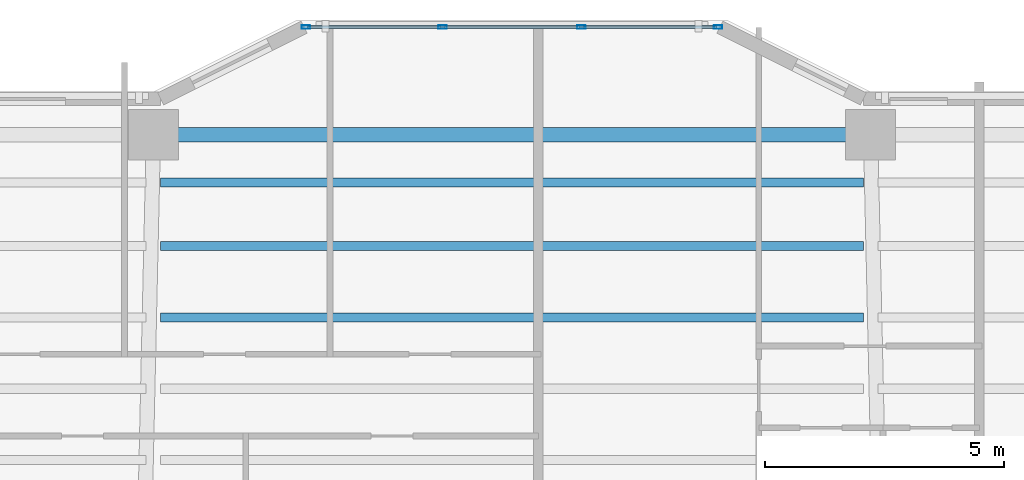
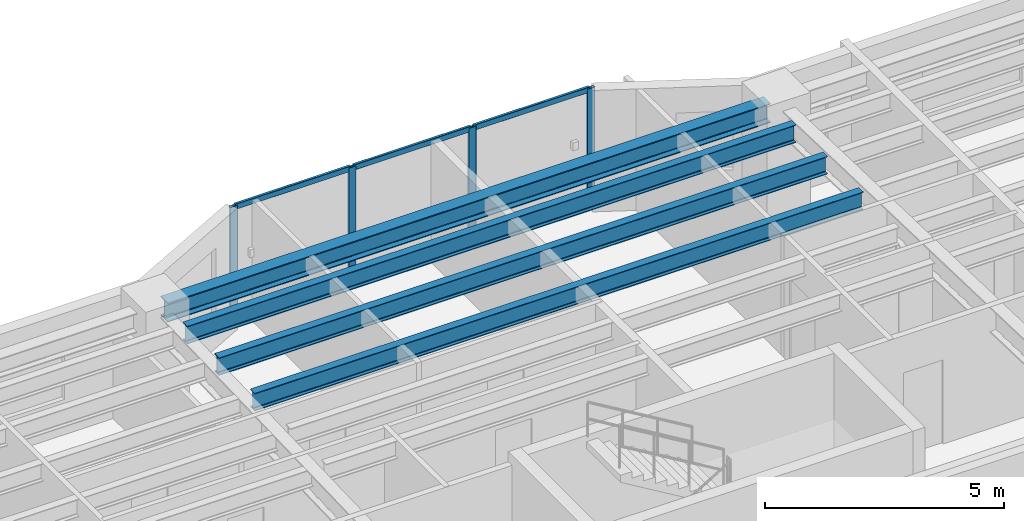
# One storey, part 4 of 18: 10 members, 4 beams, 1 element without a shape of its own.
"""IFC4 building model written with IfcOpenShell, lengths in metres."""

from ifc_helpers import new_model, si_unit, direction, frame, origin, origin_2d, place, context, subcontext, project, spatial, hollow_rectangle, i_section, extrude, material, layer, layer_set, material_profile, profile_set, type_object, element, aggregate, save


model = new_model("IFC4")

# Units and contexts
model_context = context("Model", 3, precision=1e-05, world=origin(), true_north=direction((0.0, 1.0)))
body_context = subcontext(model_context, "Body", "Model", "MODEL_VIEW")
ifc_project = project(units=[si_unit("LENGTHUNIT", "METRE"), si_unit("AREAUNIT", "SQUARE_METRE"), si_unit("VOLUMEUNIT", "CUBIC_METRE"), si_unit("PLANEANGLEUNIT", "RADIAN"), si_unit("MASSUNIT", "GRAM", prefix="KILO")], contexts=[model_context])

# Site, building, storey
site_placement = place(None, origin())
site = spatial("IfcSite", under=ifc_project, at=site_placement, CompositionType="ELEMENT")
building_placement = place(site_placement, origin())
building = spatial("IfcBuilding", under=site, at=building_placement, Name="Tarnavaz Court Tower", CompositionType="ELEMENT")
storey_placement = place(building_placement, frame((0.0, 0.0, 91.699951171875)))
storey = spatial("IfcBuildingStorey", under=building, at=storey_placement, Name="L24", CompositionType="ELEMENT", Elevation=91.699951171875)

# Beams
ifc_material_1 = material(Name="Steel S355", Category="steel")
ifc_material_profile_1 = material_profile(ifc_material_1, i_section(OverallWidth=0.18994140625, OverallDepth=0.449951171875, WebThickness=0.009521484375, FlangeThickness=0.0146484375, FilletRadius=0.02099609375, at=origin_2d()), Name="IPE 450")
ifc_profile_set_1 = profile_set([ifc_material_profile_1], Name="Steel S355")
beam_type_1 = type_object("IfcBeamType", Name="BM-J-IPE450", PredefinedType="JOIST", material=ifc_profile_set_1)
for number, where, z_axis, x_axis, name in (
    (1, (-7.35009765625, 17.48193359375, 2.875), (1.0, 0.0, 0.0), (0.0, 1.0, 0.0), "L24 Beam JN3-2"),
    (2, (-7.35009765625, 18.97607421875, 2.875), (1.0, 0.0, 0.0), (0.0, 1.0, 0.0), "L24 Beam JN4-2"),
    (3, (-7.35009765625, 20.303955078125, 2.875), (1.0, 0.0, 0.0), (0.0, 1.0, 0.0), "L24 Beam JN5-2"),
):
    element("IfcBeam", number, at=place(storey_placement, frame(where, z_axis=z_axis, x_axis=x_axis)), inside=storey, type_object=beam_type_1, Name=name, PredefinedType="JOIST", context=body_context, shape_type="SweptSolid", body=[
        extrude(i_section(OverallWidth=0.18994140625, OverallDepth=0.449951171875, WebThickness=0.009521484375, FlangeThickness=0.0146484375, FilletRadius=0.02099609375, at=origin_2d()), origin(), (0.0, 0.0, 1.0), 14.7001953125),
    ])
ifc_material_profile_2 = material_profile(ifc_material_1, i_section(OverallWidth=0.300048828125, OverallDepth=0.489990234375, WebThickness=0.011962890625, FlangeThickness=0.02294921875, FilletRadius=0.027099609375, at=origin_2d()), Name="HEA 500")
ifc_profile_set_2 = profile_set([ifc_material_profile_2], Name="Steel S355")
beam_type_2 = type_object("IfcBeamType", Name="BM-SP-HEA500", PredefinedType="SPANDREL", material=ifc_profile_set_2)
beam_placement = place(storey_placement, frame((-7.280029296875, 21.300048828125, 2.85498046875), z_axis=(1.0, 0.0, 0.0), x_axis=(0.0, 1.0, 0.0)))
element("IfcBeam", 4, at=beam_placement, inside=storey, type_object=beam_type_2, Name="L24 Beam PR-PN-2-PN-3", PredefinedType="SPANDREL", context=body_context, shape_type="SweptSolid", body=[
    extrude(i_section(OverallWidth=0.300048828125, OverallDepth=0.489990234375, WebThickness=0.011962890625, FlangeThickness=0.02294921875, FilletRadius=0.027099609375, at=origin_2d()), origin(), (0.0, 0.0, 1.0), 14.56005859375),
])

# Curtain wall, members
ifc_material_2 = material(Name="Anodised Aluminium 6063-T6 and Solar Low-E Glazing", Category="aluminium")
ifc_layer = layer(ifc_material_2, 0.179931640625)
ifc_layer_set = layer_set([ifc_layer], Name="Anodised Aluminium 6063-T6 and Solar Low-E Glazing")
curtain_wall_type = type_object("IfcCurtainWallType", Name="CW-SYS-02", PredefinedType="NOTDEFINED", material=ifc_layer_set)
curtain_wall_placement = place(storey_placement, origin())
curtain_wall = element("IfcCurtainWall", 5, at=curtain_wall_placement, inside=storey, type_object=curtain_wall_type, Name="L24 Iwan Prow Curtain Wall 7", PredefinedType="NOTDEFINED")
ifc_material_3 = material(Name="Anodised Aluminium 6063-T6", Category="aluminium")
ifc_material_profile_3 = material_profile(ifc_material_3, hollow_rectangle(XDim=0.074951171875, YDim=0.179931640625, WallThickness=0.0048828125, InnerFilletRadius=0.0048828125, OuterFilletRadius=0.010009765625, at=origin_2d()), Name="ALU RHS 180X75X5")
ifc_profile_set_3 = profile_set([ifc_material_profile_3], Name="Anodised Aluminium 6063-T6")
member_type_1 = type_object("IfcMemberType", Name="CW-MUL-180", PredefinedType="MULLION", material=ifc_profile_set_3)
member_1_placement = place(storey_placement, frame((-4.3125, 23.550048828125, 0.0), z_axis=(0.0, 0.0, 1.0), x_axis=(0.0, 1.0, 0.0)))
member_1 = element("IfcMember", 6, at=member_1_placement, type_object=member_type_1, Name="CW mullion 1", PredefinedType="MULLION", context=body_context, shape_type="SweptSolid", body=[
    extrude(hollow_rectangle(XDim=0.074951171875, YDim=0.179931640625, WallThickness=0.0048828125, InnerFilletRadius=0.0048828125, OuterFilletRadius=0.010009765625, at=origin_2d()), origin(), (0.0, 0.0, 1.0), 3.10009765625),
])
member_2_placement = place(storey_placement, frame((-1.449951171875, 23.550048828125, 0.0), z_axis=(0.0, 0.0, 1.0), x_axis=(0.0, 1.0, 0.0)))
member_2 = element("IfcMember", 7, at=member_2_placement, type_object=member_type_1, Name="CW mullion 2", PredefinedType="MULLION", context=body_context, shape_type="SweptSolid", body=[
    extrude(hollow_rectangle(XDim=0.074951171875, YDim=0.179931640625, WallThickness=0.0048828125, InnerFilletRadius=0.0048828125, OuterFilletRadius=0.010009765625, at=origin_2d()), origin(), (0.0, 0.0, 1.0), 3.10009765625),
])
member_3_placement = place(storey_placement, frame((1.449951171875, 23.550048828125, 0.0), z_axis=(0.0, 0.0, 1.0), x_axis=(0.0, 1.0, 0.0)))
member_3 = element("IfcMember", 8, at=member_3_placement, type_object=member_type_1, Name="CW mullion 3", PredefinedType="MULLION", context=body_context, shape_type="SweptSolid", body=[
    extrude(hollow_rectangle(XDim=0.074951171875, YDim=0.179931640625, WallThickness=0.0048828125, InnerFilletRadius=0.0048828125, OuterFilletRadius=0.010009765625, at=origin_2d()), origin(), (0.0, 0.0, 1.0), 3.10009765625),
])
member_4_placement = place(storey_placement, frame((4.3125, 23.550048828125, 0.0), z_axis=(0.0, 0.0, 1.0), x_axis=(0.0, 1.0, 0.0)))
member_4 = element("IfcMember", 9, at=member_4_placement, type_object=member_type_1, Name="CW mullion 4", PredefinedType="MULLION", context=body_context, shape_type="SweptSolid", body=[
    extrude(hollow_rectangle(XDim=0.074951171875, YDim=0.179931640625, WallThickness=0.0048828125, InnerFilletRadius=0.0048828125, OuterFilletRadius=0.010009765625, at=origin_2d()), origin(), (0.0, 0.0, 1.0), 3.10009765625),
])
ifc_material_profile_4 = material_profile(ifc_material_3, hollow_rectangle(XDim=0.06494140625, YDim=0.139892578125, WallThickness=0.00390625, InnerFilletRadius=0.00390625, OuterFilletRadius=0.008056640625, at=origin_2d()), Name="ALU RHS 140X65X4")
ifc_profile_set_4 = profile_set([ifc_material_profile_4], Name="Anodised Aluminium 6063-T6")
member_type_2 = type_object("IfcMemberType", Name="CW-TRN-140", PredefinedType="USERDEFINED", material=ifc_profile_set_4)
member_5_placement = place(storey_placement, frame((-4.27490234375, 23.550048828125, 0.032470703125), z_axis=(1.0, 0.0, 0.0), x_axis=(0.0, 1.0, 0.0)))
member_5 = element("IfcMember", 10, at=member_5_placement, type_object=member_type_2, Name="CW transom 1.1", ObjectType="TRANSOM", PredefinedType="USERDEFINED", context=body_context, shape_type="SweptSolid", body=[
    extrude(hollow_rectangle(XDim=0.06494140625, YDim=0.139892578125, WallThickness=0.00390625, InnerFilletRadius=0.00390625, OuterFilletRadius=0.008056640625, at=origin_2d()), origin(), (0.0, 0.0, 1.0), 2.787353515625),
])
member_6_placement = place(storey_placement, frame((-4.27490234375, 23.550048828125, 3.067626953125), z_axis=(1.0, 0.0, 0.0), x_axis=(0.0, 1.0, 0.0)))
member_6 = element("IfcMember", 11, at=member_6_placement, type_object=member_type_2, Name="CW transom 1.2", ObjectType="TRANSOM", PredefinedType="USERDEFINED", context=body_context, shape_type="SweptSolid", body=[
    extrude(hollow_rectangle(XDim=0.06494140625, YDim=0.139892578125, WallThickness=0.00390625, InnerFilletRadius=0.00390625, OuterFilletRadius=0.008056640625, at=origin_2d()), origin(), (0.0, 0.0, 1.0), 2.787353515625),
])
member_7_placement = place(storey_placement, frame((-1.41259765625, 23.550048828125, 0.032470703125), z_axis=(1.0, 0.0, 0.0), x_axis=(0.0, 1.0, 0.0)))
member_7 = element("IfcMember", 12, at=member_7_placement, type_object=member_type_2, Name="CW transom 2.1", ObjectType="TRANSOM", PredefinedType="USERDEFINED", context=body_context, shape_type="SweptSolid", body=[
    extrude(hollow_rectangle(XDim=0.06494140625, YDim=0.139892578125, WallThickness=0.00390625, InnerFilletRadius=0.00390625, OuterFilletRadius=0.008056640625, at=origin_2d()), origin(), (0.0, 0.0, 1.0), 2.8251953125),
])
member_8_placement = place(storey_placement, frame((-1.41259765625, 23.550048828125, 3.067626953125), z_axis=(1.0, 0.0, 0.0), x_axis=(0.0, 1.0, 0.0)))
member_8 = element("IfcMember", 13, at=member_8_placement, type_object=member_type_2, Name="CW transom 2.2", ObjectType="TRANSOM", PredefinedType="USERDEFINED", context=body_context, shape_type="SweptSolid", body=[
    extrude(hollow_rectangle(XDim=0.06494140625, YDim=0.139892578125, WallThickness=0.00390625, InnerFilletRadius=0.00390625, OuterFilletRadius=0.008056640625, at=origin_2d()), origin(), (0.0, 0.0, 1.0), 2.8251953125),
])
member_9_placement = place(storey_placement, frame((1.487548828125, 23.550048828125, 0.032470703125), z_axis=(1.0, 0.0, 0.0), x_axis=(0.0, 1.0, 0.0)))
member_9 = element("IfcMember", 14, at=member_9_placement, type_object=member_type_2, Name="CW transom 3.1", ObjectType="TRANSOM", PredefinedType="USERDEFINED", context=body_context, shape_type="SweptSolid", body=[
    extrude(hollow_rectangle(XDim=0.06494140625, YDim=0.139892578125, WallThickness=0.00390625, InnerFilletRadius=0.00390625, OuterFilletRadius=0.008056640625, at=origin_2d()), origin(), (0.0, 0.0, 1.0), 2.787353515625),
])
member_10_placement = place(storey_placement, frame((1.487548828125, 23.550048828125, 3.067626953125), z_axis=(1.0, 0.0, 0.0), x_axis=(0.0, 1.0, 0.0)))
member_10 = element("IfcMember", 15, at=member_10_placement, type_object=member_type_2, Name="CW transom 3.2", ObjectType="TRANSOM", PredefinedType="USERDEFINED", context=body_context, shape_type="SweptSolid", body=[
    extrude(hollow_rectangle(XDim=0.06494140625, YDim=0.139892578125, WallThickness=0.00390625, InnerFilletRadius=0.00390625, OuterFilletRadius=0.008056640625, at=origin_2d()), origin(), (0.0, 0.0, 1.0), 2.787353515625),
])
aggregate(curtain_wall, [member_1, member_2, member_3, member_4, member_5, member_6, member_7, member_8, member_9, member_10])

save(model, "model.ifc")
